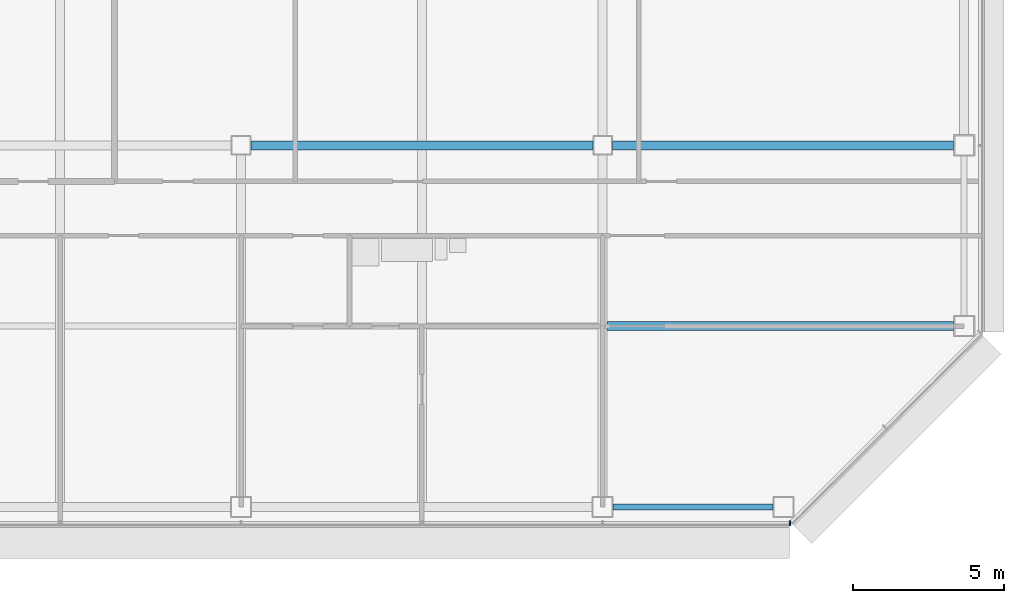
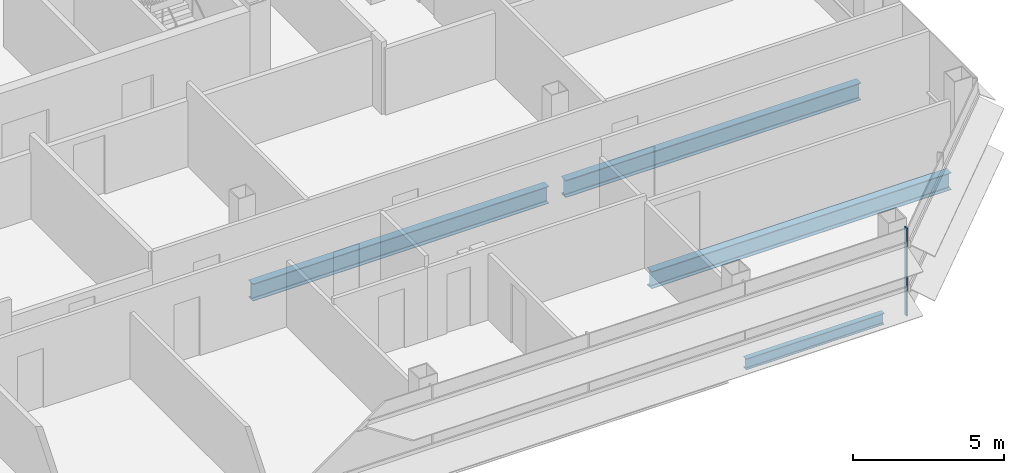
# One storey, part 9 of 26: 4 beams, 1 member, 1 element without a shape of its own.
"""IFC4 building model written with IfcOpenShell, lengths in metres."""

from ifc_helpers import new_model, si_unit, direction, frame, origin, origin_2d, place, context, subcontext, project, spatial, rectangle, i_section, extrude, material, material_profile, profile_set, type_object, element, aggregate, save


model = new_model("IFC4")

# Units and contexts
model_context = context("Model", 3, precision=1e-05, world=origin(), true_north=direction((0.0, 1.0)))
body_context = subcontext(model_context, "Body", "Model", "MODEL_VIEW")
ifc_project = project(units=[si_unit("LENGTHUNIT", "METRE"), si_unit("AREAUNIT", "SQUARE_METRE"), si_unit("VOLUMEUNIT", "CUBIC_METRE"), si_unit("PLANEANGLEUNIT", "RADIAN"), si_unit("MASSUNIT", "GRAM", prefix="KILO")], contexts=[model_context])

# Site, building, storey
site_placement = place(None, origin())
site = spatial("IfcSite", under=ifc_project, at=site_placement, CompositionType="ELEMENT")
building_placement = place(site_placement, origin())
building = spatial("IfcBuilding", under=site, at=building_placement, Name="Sorahane Residences", CompositionType="ELEMENT")
storey_placement = place(building_placement, frame((0.0, 0.0, 158.199951171875)))
storey = spatial("IfcBuildingStorey", under=building, at=storey_placement, Name="L36", CompositionType="ELEMENT", Elevation=158.199951171875)

# Curtain wall, member
ifc_material_1 = material(Name="Dark low-e glass and black anodised aluminium", Category="aluminium")
curtain_wall_type = type_object("IfcCurtainWallType", Name="Curtain wall CW-1 Typical unitised wall", PredefinedType="NOTDEFINED", material=ifc_material_1)
curtain_wall_placement = place(storey_placement, origin())
curtain_wall = element("IfcCurtainWall", 1, at=curtain_wall_placement, inside=storey, type_object=curtain_wall_type, Name="CW-1 curtain wall L36 S1", PredefinedType="NOTDEFINED")
ifc_material_2 = material(Name="Black anodised aluminium", Category="aluminium")
ifc_material_profile_1 = material_profile(ifc_material_2, rectangle(XDim=0.159912109375, YDim=0.050048828125, at=origin_2d()), Name="Curtain wall mullion CW-1 black anodised aluminium 50x160")
ifc_profile_set_1 = profile_set([ifc_material_profile_1], Name="Black anodised aluminium")
member_type = type_object("IfcMemberType", Name="Curtain wall mullion CW-1 black anodised aluminium 50x160", PredefinedType="MULLION", material=ifc_profile_set_1)
member_placement = place(storey_placement, frame((54.2236328125, -0.5400390625, -0.179931640625), z_axis=(0.0, 0.0, 1.0), x_axis=(0.0, -1.0, 0.0)))
member = element("IfcMember", 2, at=member_placement, type_object=member_type, Name="CW-1 mullion L36 S1.10", PredefinedType="MULLION", context=body_context, shape_type="SweptSolid", body=[
    extrude(rectangle(XDim=0.159912109375, YDim=0.050048828125, at=origin_2d()), origin(), (0.0, 0.0, 1.0), 3.56005859375),
])
aggregate(curtain_wall, [member])

# Beams
ifc_material_3 = material(Name="Steel Q355B", Category="steel")
ifc_material_profile_2 = material_profile(ifc_material_3, i_section(OverallWidth=0.199951171875, OverallDepth=0.449951171875, WebThickness=0.009033203125, FlangeThickness=0.013916015625, FilletRadius=0.02001953125, at=origin_2d()), Name="HN 450x200x9x14")
ifc_profile_set_2 = profile_set([ifc_material_profile_2], Name="Steel Q355B")
beam_type_1 = type_object("IfcBeamType", Name="Steel floor beam HN 450x200x9x14 Q355B", PredefinedType="BEAM", material=ifc_profile_set_2)
beam_1_placement = place(storey_placement, frame((48.35009765625, 0.0, -0.405029296875), z_axis=(1.0, 0.0, 0.0), x_axis=(0.0, 1.0, 0.0)))
element("IfcBeam", 3, at=beam_1_placement, inside=storey, type_object=beam_type_1, Name="Beam L36 004", PredefinedType="BEAM", context=body_context, shape_type="SweptSolid", body=[
    extrude(i_section(OverallWidth=0.199951171875, OverallDepth=0.449951171875, WebThickness=0.009033203125, FlangeThickness=0.013916015625, FilletRadius=0.02001953125, at=origin_2d()), origin(), (0.0, 0.0, 1.0), 5.2998046875),
])
ifc_material_4 = material(Name="Steel Q355B", Category="steel")
ifc_material_profile_3 = material_profile(ifc_material_4, i_section(OverallWidth=0.300048828125, OverallDepth=0.699951171875, WebThickness=0.012939453125, FlangeThickness=0.02392578125, FilletRadius=0.028076171875, at=origin_2d()), Name="HN 700x300x13x24")
ifc_profile_set_3 = profile_set([ifc_material_profile_3], Name="Steel Q355B")
beam_type_2 = type_object("IfcBeamType", Name="Steel floor beam HN 700x300x13x24 Q355B", PredefinedType="BEAM", material=ifc_profile_set_3)
beam_2_placement = place(storey_placement, frame((36.324951171875, 12.0, -0.530029296875), z_axis=(1.0, 0.0, 0.0), x_axis=(0.0, 1.0, 0.0)))
element("IfcBeam", 4, at=beam_2_placement, inside=storey, type_object=beam_type_2, Name="Beam L36 009", PredefinedType="BEAM", context=body_context, shape_type="SweptSolid", body=[
    extrude(i_section(OverallWidth=0.300048828125, OverallDepth=0.699951171875, WebThickness=0.012939453125, FlangeThickness=0.02392578125, FilletRadius=0.028076171875, at=origin_2d()), origin(), (0.0, 0.0, 1.0), 11.35009765625),
])
beam_3_placement = place(storey_placement, frame((48.324951171875, 12.0, -0.530029296875), z_axis=(1.0, 0.0, 0.0), x_axis=(0.0, 1.0, 0.0)))
element("IfcBeam", 5, at=beam_3_placement, inside=storey, type_object=beam_type_2, Name="Beam L36 010", PredefinedType="BEAM", context=body_context, shape_type="SweptSolid", body=[
    extrude(i_section(OverallWidth=0.300048828125, OverallDepth=0.699951171875, WebThickness=0.012939453125, FlangeThickness=0.02392578125, FilletRadius=0.028076171875, at=origin_2d()), origin(), (0.0, 0.0, 1.0), 11.324951171875),
])
beam_4_placement = place(storey_placement, frame((48.14990234375, 6.0, -0.530029296875), z_axis=(1.0, 0.0, 0.0), x_axis=(0.0, 1.0, 0.0)))
element("IfcBeam", 6, at=beam_4_placement, inside=storey, type_object=beam_type_2, Name="Beam L36 077", PredefinedType="BEAM", context=body_context, shape_type="SweptSolid", body=[
    extrude(i_section(OverallWidth=0.300048828125, OverallDepth=0.699951171875, WebThickness=0.012939453125, FlangeThickness=0.02392578125, FilletRadius=0.028076171875, at=origin_2d()), origin(), (0.0, 0.0, 1.0), 11.5),
])

save(model, "model.ifc")
